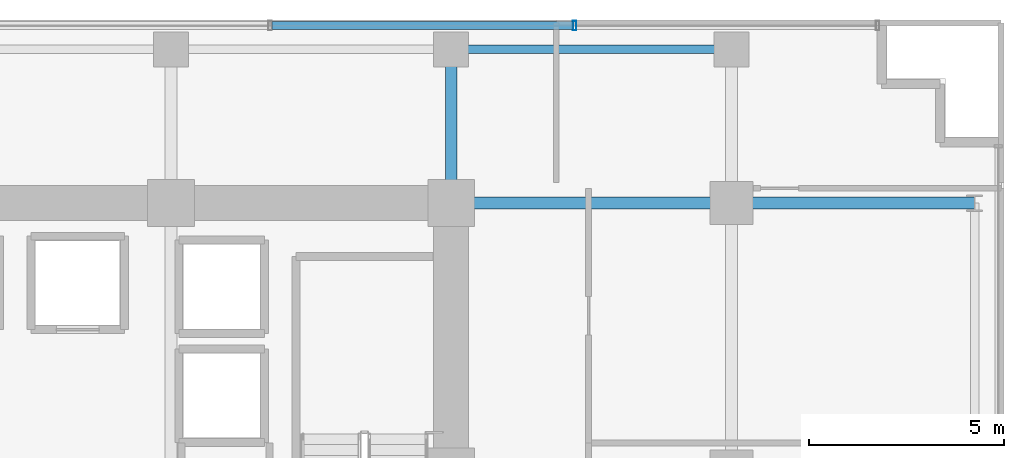
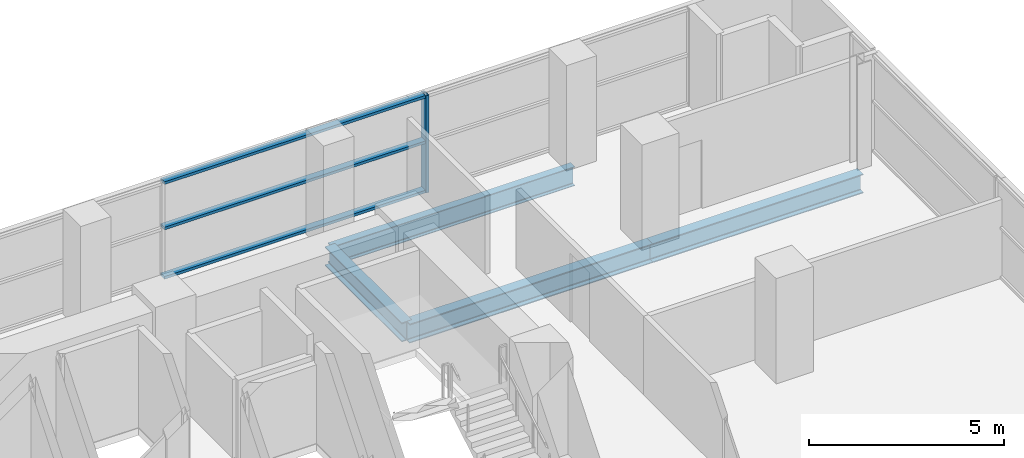
# One storey, part 20 of 30: 4 beams, 4 members, 1 element without a shape of its own.
"""IFC4 building model written with IfcOpenShell, lengths in metres."""

from ifc_helpers import new_model, si_unit, direction, frame, origin, origin_2d, place, context, subcontext, project, spatial, hollow_rectangle, i_section, extrude, source, transform, mapped, material, layer, layer_set, material_profile, profile_set, type_object, element, aggregate, save


model = new_model("IFC4")

# Units and contexts
model_context = context("Model", 3, precision=1e-05, world=origin(), true_north=direction((0.0, 1.0)))
body_context = subcontext(model_context, "Body", "Model", "MODEL_VIEW")
ifc_project = project(units=[si_unit("LENGTHUNIT", "METRE"), si_unit("AREAUNIT", "SQUARE_METRE"), si_unit("VOLUMEUNIT", "CUBIC_METRE"), si_unit("PLANEANGLEUNIT", "RADIAN"), si_unit("MASSUNIT", "GRAM", prefix="KILO")], contexts=[model_context])

# Site, building, storey
site_placement = place(None, origin())
site = spatial("IfcSite", under=ifc_project, at=site_placement, CompositionType="ELEMENT")
building_placement = place(site_placement, origin())
building = spatial("IfcBuilding", under=site, at=building_placement, Name="Zarnakvel Exchange Tower", CompositionType="ELEMENT")
storey_placement = place(building_placement, frame((0.0, 0.0, 34.0)))
storey = spatial("IfcBuildingStorey", under=building, at=storey_placement, Name="L08", CompositionType="ELEMENT", Elevation=34.0)

# Beams
ifc_material_1 = material(Name="Steel S355", Category="steel")
ifc_material_profile_1 = material_profile(ifc_material_1, i_section(OverallWidth=0.300048828125, OverallDepth=0.60009765625, WebThickness=0.015380859375, FlangeThickness=0.030029296875, FilletRadius=0.027099609375, at=origin_2d()))
ifc_profile_set_1 = profile_set([ifc_material_profile_1], Name="Steel S355")
beam_type_1 = type_object("IfcBeamType", Name="G-04", PredefinedType="BEAM", material=ifc_profile_set_1)
beam_1_placement = place(storey_placement, frame((14.39990234375, 13.5, -0.52490234375), z_axis=(1.0, 0.0, 0.0), x_axis=(0.0, 1.0, 0.0)))
element("IfcBeam", 1, at=beam_1_placement, inside=storey, type_object=beam_type_1, Name="L08 Tower E-W Frame Beam", PredefinedType="BEAM", context=body_context, shape_type="SweptSolid", body=[
    extrude(i_section(OverallWidth=0.300048828125, OverallDepth=0.60009765625, WebThickness=0.015380859375, FlangeThickness=0.030029296875, FilletRadius=0.027099609375, at=origin_2d()), origin(), (0.0, 0.0, 1.0), 7.2001953125),
])
beam_2_placement = place(storey_placement, frame((21.60009765625, 13.5, -0.52490234375), z_axis=(1.0, 0.0, 0.0), x_axis=(0.0, 1.0, 0.0)))
element("IfcBeam", 2, at=beam_2_placement, inside=storey, type_object=beam_type_1, Name="L08 Tower E-W Frame Beam", PredefinedType="BEAM", context=body_context, shape_type="SweptSolid", body=[
    extrude(i_section(OverallWidth=0.300048828125, OverallDepth=0.60009765625, WebThickness=0.015380859375, FlangeThickness=0.030029296875, FilletRadius=0.027099609375, at=origin_2d()), origin(), (0.0, 0.0, 1.0), 6.25),
])
beam_3_placement = place(storey_placement, frame((14.39990234375, 13.5, -0.52490234375), z_axis=(0.0, 1.0, 0.0), x_axis=(-1.0, 0.0, 0.0)))
element("IfcBeam", 3, at=beam_3_placement, inside=storey, type_object=beam_type_1, Name="L08 Tower N-S Frame Beam", PredefinedType="BEAM", context=body_context, shape_type="SweptSolid", body=[
    extrude(i_section(OverallWidth=0.300048828125, OverallDepth=0.60009765625, WebThickness=0.015380859375, FlangeThickness=0.030029296875, FilletRadius=0.027099609375, at=origin_2d()), origin(), (0.0, 0.0, 1.0), 3.949951171875),
])
ifc_material_profile_2 = material_profile(ifc_material_1, i_section(OverallWidth=0.219970703125, OverallDepth=0.60009765625, WebThickness=0.011962890625, FlangeThickness=0.01904296875, FilletRadius=0.02392578125, at=origin_2d()))
ifc_profile_set_2 = profile_set([ifc_material_profile_2], Name="Steel S355")
beam_type_2 = type_object("IfcBeamType", Name="SP-01", PredefinedType="SPANDREL", material=ifc_profile_set_2)
beam_4_placement = place(storey_placement, frame((14.39990234375, 17.449951171875, -0.52490234375), z_axis=(1.0, 0.0, 0.0), x_axis=(0.0, 1.0, 0.0)))
element("IfcBeam", 4, at=beam_4_placement, inside=storey, type_object=beam_type_2, Name="L08 Tower E-W Frame Beam", PredefinedType="SPANDREL", context=body_context, shape_type="SweptSolid", body=[
    extrude(i_section(OverallWidth=0.219970703125, OverallDepth=0.60009765625, WebThickness=0.011962890625, FlangeThickness=0.01904296875, FilletRadius=0.02392578125, at=origin_2d()), origin(), (0.0, 0.0, 1.0), 7.2001953125),
])

# Curtain wall, members
ifc_material_2 = material(Name="Architectural Bronze Anodised Aluminium", Category="aluminium")
ifc_layer = layer(ifc_material_2, 0.239990234375)
ifc_layer_set = layer_set([ifc_layer], Name="Architectural Bronze Anodised Aluminium")
curtain_wall_type = type_object("IfcCurtainWallType", Name="CW-02", PredefinedType="NOTDEFINED", material=ifc_layer_set)
curtain_wall_placement = place(storey_placement, origin())
curtain_wall = element("IfcCurtainWall", 5, at=curtain_wall_placement, inside=storey, type_object=curtain_wall_type, Name="L08 Curtain Wall CW-L08-N1 (CW-02)", PredefinedType="NOTDEFINED")
ifc_material_profile_3 = material_profile(ifc_material_2, hollow_rectangle(XDim=0.199951171875, YDim=0.0849609375, WallThickness=0.0048828125, at=origin_2d()))
ifc_profile_set_3 = profile_set([ifc_material_profile_3], Name="Architectural Bronze Anodised Aluminium")
member_type_1 = type_object("IfcMemberType", Name="CWT-02", PredefinedType="USERDEFINED", material=ifc_profile_set_3)
shared_shape_1 = source(origin(), body_context, "Body", "SweptSolid", [
    extrude(hollow_rectangle(XDim=0.199951171875, YDim=0.0849609375, WallThickness=0.0048828125, at=origin_2d()), origin(), (0.0, 0.0, 1.0), 7.738525390625),
])
member_1_placement = place(storey_placement, frame((9.787841796875, 18.06005859375, 0.04248046875), z_axis=(1.0, 0.0, 0.0), x_axis=(0.0, 1.0, 0.0)))
member_1 = element("IfcMember", 6, at=member_1_placement, type_object=member_type_1, Name="CW-02 transom 6.1", ObjectType="TRANSOM", PredefinedType="USERDEFINED", context=body_context, shape_type="MappedRepresentation", body=[
    mapped(shared_shape_1, transform((0.0, 0.0, 0.0), x_axis=(1.0, 0.0, 0.0), y_axis=(0.0, 1.0, 0.0), z_axis=(0.0, 0.0, 1.0), scale=1.0)),
])
member_2_placement = place(storey_placement, frame((9.787841796875, 18.06005859375, 1.588623046875), z_axis=(1.0, 0.0, 0.0), x_axis=(0.0, 1.0, 0.0)))
member_2 = element("IfcMember", 7, at=member_2_placement, type_object=member_type_1, Name="CW-02 transom 6.2", ObjectType="TRANSOM", PredefinedType="USERDEFINED", context=body_context, shape_type="MappedRepresentation", body=[
    mapped(shared_shape_1, transform((0.0, 0.0, 0.0), x_axis=(1.0, 0.0, 0.0), y_axis=(0.0, 1.0, 0.0), z_axis=(0.0, 0.0, 1.0), scale=1.0)),
])
member_3_placement = place(storey_placement, frame((9.787841796875, 18.06005859375, 3.012451171875), z_axis=(1.0, 0.0, 0.0), x_axis=(0.0, 1.0, 0.0)))
member_3 = element("IfcMember", 8, at=member_3_placement, type_object=member_type_1, Name="CW-02 transom 6.3", ObjectType="TRANSOM", PredefinedType="USERDEFINED", context=body_context, shape_type="MappedRepresentation", body=[
    mapped(shared_shape_1, transform((0.0, 0.0, 0.0), x_axis=(1.0, 0.0, 0.0), y_axis=(0.0, 1.0, 0.0), z_axis=(0.0, 0.0, 1.0), scale=1.0)),
])
ifc_material_profile_4 = material_profile(ifc_material_2, hollow_rectangle(XDim=0.239990234375, YDim=0.090087890625, WallThickness=0.006103515625, at=origin_2d()))
ifc_profile_set_4 = profile_set([ifc_material_profile_4], Name="Architectural Bronze Anodised Aluminium")
member_type_2 = type_object("IfcMemberType", Name="CWM-02", PredefinedType="MULLION", material=ifc_profile_set_4)
shared_shape_2 = source(origin(), body_context, "Body", "SweptSolid", [
    extrude(hollow_rectangle(XDim=0.239990234375, YDim=0.090087890625, WallThickness=0.006103515625, at=origin_2d()), origin(), (0.0, 0.0, 1.0), 3.054931640625),
])
member_4_placement = place(storey_placement, frame((17.571533203125, 18.06005859375, 0.0), z_axis=(0.0, 0.0, 1.0), x_axis=(0.0, 1.0, 0.0)))
member_4 = element("IfcMember", 9, at=member_4_placement, type_object=member_type_2, Name="CW-02 mullion 7", PredefinedType="MULLION", context=body_context, shape_type="MappedRepresentation", body=[
    mapped(shared_shape_2, transform((0.0, 0.0, 0.0), x_axis=(1.0, 0.0, 0.0), y_axis=(0.0, 1.0, 0.0), z_axis=(0.0, 0.0, 1.0), scale=1.0)),
])
aggregate(curtain_wall, [member_4, member_1, member_2, member_3])

save(model, "model.ifc")
